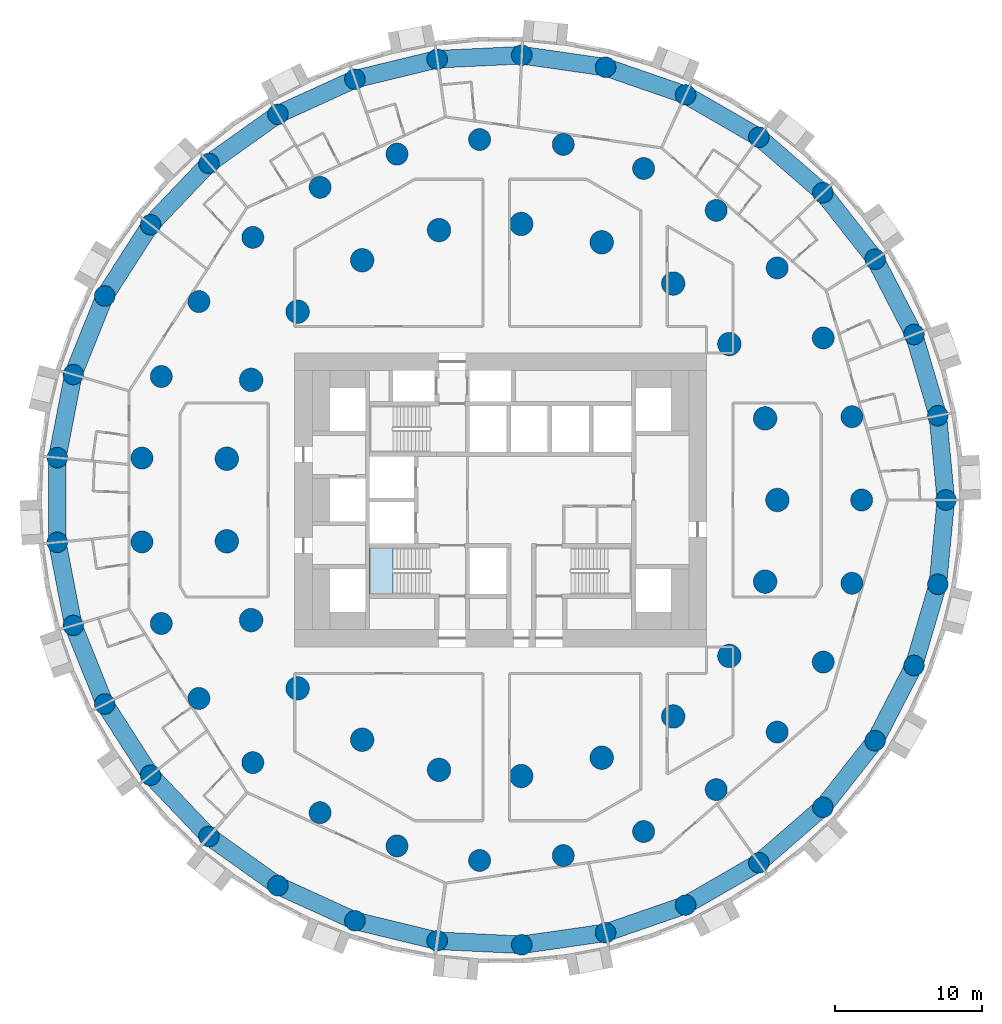
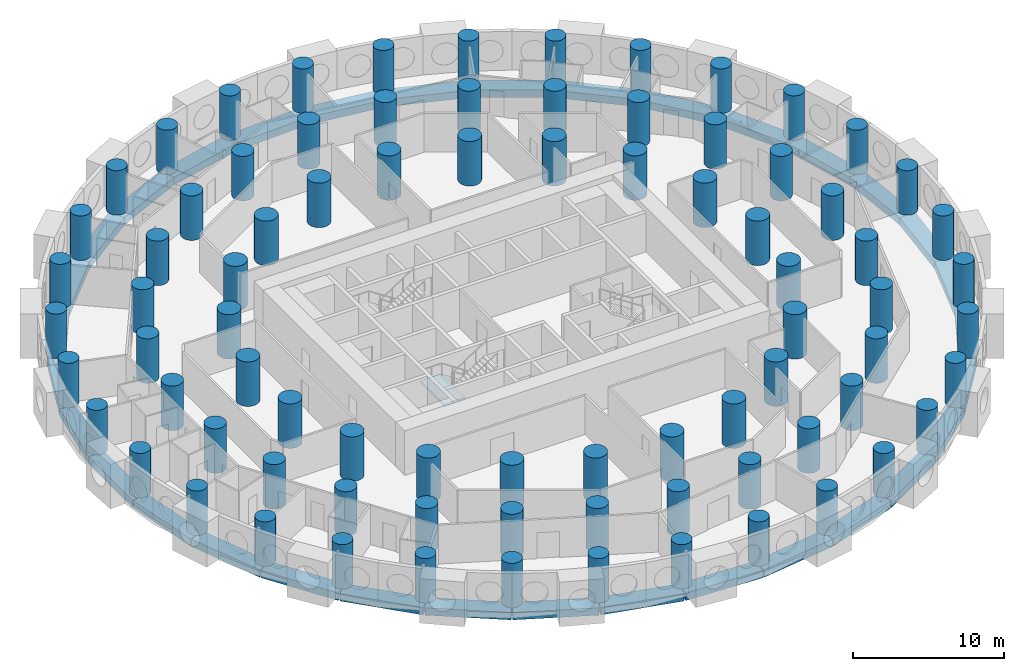
# One storey, part 1 of 12: 81 columns, 33 beams, 1 slab, 1 element without a shape of its own.
"""IFC4 building model written with IfcOpenShell, lengths in metres."""

from ifc_helpers import new_model, si_unit, direction, frame, origin, origin_2d, place, context, subcontext, project, spatial, polyline, rectangle, circle, outline, extrude, material, layer, layer_set, material_profile, profile_set, type_object, element, aggregate, save


model = new_model("IFC4")

# Units and contexts
model_context = context("Model", 3, precision=1e-05, world=origin(), true_north=direction((0.0, 1.0)))
body_context = subcontext(model_context, "Body", "Model", "MODEL_VIEW")
ifc_project = project(units=[si_unit("LENGTHUNIT", "METRE"), si_unit("AREAUNIT", "SQUARE_METRE"), si_unit("VOLUMEUNIT", "CUBIC_METRE"), si_unit("PLANEANGLEUNIT", "RADIAN"), si_unit("MASSUNIT", "GRAM", prefix="KILO")], contexts=[model_context])

# Site, building, storey
site_placement = place(None, origin())
site = spatial("IfcSite", under=ifc_project, at=site_placement, CompositionType="ELEMENT")
building_placement = place(site_placement, origin())
building = spatial("IfcBuilding", under=site, at=building_placement, Name="Tracery Tower", CompositionType="ELEMENT")
storey_placement = place(building_placement, frame((0.0, 0.0, 35.39990234375)))
storey = spatial("IfcBuildingStorey", under=building, at=storey_placement, Name="L07", CompositionType="ELEMENT", Elevation=35.39990234375)

# Columns
ifc_material_1 = material(Name="Concrete C60/75", Category="concrete")
ifc_material_profile_1 = material_profile(ifc_material_1, circle(Radius=0.699951171875, at=origin_2d()), Name="RC D1400")
ifc_profile_set_1 = profile_set([ifc_material_profile_1], Name="Concrete C60/75")
column_type_1 = type_object("IfcColumnType", Name="Ring 0 column 1400", PredefinedType="COLUMN", material=ifc_profile_set_1)
for number, where, z_axis, x_axis, name in (
    (1, (30.274658203125, 0.0, 0.0), (0.0, 0.0, 1.0), (1.0, 0.0, 0.0), "Ring 0 column 00 at L07"),
    (2, (29.7275390625, 5.7294921875, 0.0), (0.0, 0.0, 1.0), (1.0, 0.0, 0.0), "Ring 0 column 01 at L07"),
    (3, (28.10595703125, 11.251953125, 0.0), (0.0, 0.0, 1.0), (1.0, 0.0, 0.0), "Ring 0 column 02 at L07"),
    (4, (25.468505859375, 16.36767578125, 0.0), (0.0, 0.0, 1.0), (1.0, 0.0, 0.0), "Ring 0 column 03 at L07"),
    (5, (21.910888671875, 20.891845703125, 0.0), (0.0, 0.0, 1.0), (1.0, 0.0, 0.0), "Ring 0 column 04 at L07"),
    (6, (17.56103515625, 24.660888671875, 0.0), (0.0, 0.0, 1.0), (1.0, 0.0, 0.0), "Ring 0 column 05 at L07"),
    (7, (12.576416015625, 27.538818359375, 0.0), (0.0, 0.0, 1.0), (1.0, 0.0, 0.0), "Ring 0 column 06 at L07"),
    (8, (7.137451171875, 29.421142578125, 0.0), (0.0, 0.0, 1.0), (1.0, 0.0, 0.0), "Ring 0 column 07 at L07"),
    (9, (1.4404296875, 30.240234375, 0.0), (0.0, 0.0, 1.0), (1.0, 0.0, 0.0), "Ring 0 column 08 at L07"),
    (10, (-4.30859375, 29.96630859375, 0.0), (0.0, 0.0, 1.0), (1.0, 0.0, 0.0), "Ring 0 column 09 at L07"),
    (11, (-9.90185546875, 28.609619140625, 0.0), (0.0, 0.0, 1.0), (1.0, 0.0, 0.0), "Ring 0 column 10 at L07"),
    (12, (-15.13720703125, 26.218505859375, 0.0), (0.0, 0.0, 1.0), (1.0, 0.0, 0.0), "Ring 0 column 11 at L07"),
    (13, (-19.82568359375, 22.8798828125, 0.0), (0.0, 0.0, 1.0), (1.0, 0.0, 0.0), "Ring 0 column 12 at L07"),
    (14, (-23.79736328125, 18.714599609375, 0.0), (0.0, 0.0, 1.0), (1.0, 0.0, 0.0), "Ring 0 column 13 at L07"),
    (15, (-26.9091796875, 13.87255859375, 0.0), (0.0, 0.0, 1.0), (1.0, 0.0, 0.0), "Ring 0 column 14 at L07"),
    (16, (-29.04833984375, 8.529296875, 0.0), (0.0, 0.0, 1.0), (1.0, 0.0, 0.0), "Ring 0 column 15 at L07"),
    (17, (-30.137451171875, 2.877685546875, 0.0), (0.0, 0.0, 1.0), (1.0, 0.0, 0.0), "Ring 0 column 16 at L07"),
    (18, (-30.137451171875, -2.877685546875, 0.0), (0.0, 0.0, 1.0), (1.0, 0.0, 0.0), "Ring 0 column 17 at L07"),
    (19, (-29.04833984375, -8.529296875, 0.0), (0.0, 0.0, 1.0), (1.0, 0.0, 0.0), "Ring 0 column 18 at L07"),
    (20, (-26.9091796875, -13.87255859375, 0.0), (0.0, 0.0, 1.0), (1.0, 0.0, 0.0), "Ring 0 column 19 at L07"),
    (21, (-23.79736328125, -18.714599609375, 0.0), (0.0, 0.0, 1.0), (1.0, 0.0, 0.0), "Ring 0 column 20 at L07"),
    (22, (-19.82568359375, -22.8798828125, 0.0), (0.0, 0.0, 1.0), (1.0, 0.0, 0.0), "Ring 0 column 21 at L07"),
    (23, (-15.13720703125, -26.218505859375, 0.0), (0.0, 0.0, 1.0), (1.0, 0.0, 0.0), "Ring 0 column 22 at L07"),
    (24, (-9.90185546875, -28.609619140625, 0.0), (0.0, 0.0, 1.0), (1.0, 0.0, 0.0), "Ring 0 column 23 at L07"),
    (25, (-4.30859375, -29.96630859375, 0.0), (0.0, 0.0, 1.0), (1.0, 0.0, 0.0), "Ring 0 column 24 at L07"),
    (26, (1.4404296875, -30.240234375, 0.0), (0.0, 0.0, 1.0), (1.0, 0.0, 0.0), "Ring 0 column 25 at L07"),
    (27, (7.137451171875, -29.421142578125, 0.0), (0.0, 0.0, 1.0), (1.0, 0.0, 0.0), "Ring 0 column 26 at L07"),
    (28, (12.576416015625, -27.538818359375, 0.0), (0.0, 0.0, 1.0), (1.0, 0.0, 0.0), "Ring 0 column 27 at L07"),
    (29, (17.56103515625, -24.660888671875, 0.0), (0.0, 0.0, 1.0), (1.0, 0.0, 0.0), "Ring 0 column 28 at L07"),
    (30, (21.910888671875, -20.891845703125, 0.0), (0.0, 0.0, 1.0), (1.0, 0.0, 0.0), "Ring 0 column 29 at L07"),
    (31, (25.468505859375, -16.36767578125, 0.0), (0.0, 0.0, 1.0), (1.0, 0.0, 0.0), "Ring 0 column 30 at L07"),
    (32, (28.10595703125, -11.251953125, 0.0), (0.0, 0.0, 1.0), (1.0, 0.0, 0.0), "Ring 0 column 31 at L07"),
    (33, (29.7275390625, -5.7294921875, 0.0), (0.0, 0.0, 1.0), (1.0, 0.0, 0.0), "Ring 0 column 32 at L07"),
):
    element("IfcColumn", number, at=place(storey_placement, frame(where, z_axis=z_axis, x_axis=x_axis)), inside=storey, type_object=column_type_1, Name=name, PredefinedType="COLUMN", context=body_context, shape_type="SweptSolid", body=[
        extrude(circle(Radius=0.699951171875, at=origin_2d()), origin(), (0.0, 0.0, 1.0), 3.60009765625),
    ])
ifc_material_2 = material(Name="Concrete C60/75", Category="concrete")
ifc_material_profile_2 = material_profile(ifc_material_2, circle(Radius=0.75, at=origin_2d()), Name="RC D1500")
ifc_profile_set_2 = profile_set([ifc_material_profile_2], Name="Concrete C60/75")
column_type_2 = type_object("IfcColumnType", Name="Ring 1 column 1500", PredefinedType="COLUMN", material=ifc_profile_set_2)
for number, where, z_axis, x_axis, name in (
    (34, (24.547607421875, 0.0, 0.0), (0.0, 0.0, 1.0), (1.0, 0.0, 0.0), "Ring 1 column 00 at L07"),
    (35, (23.885986328125, 5.6611328125, 0.0), (0.0, 0.0, 1.0), (1.0, 0.0, 0.0), "Ring 1 column 01 at L07"),
    (36, (21.9365234375, 11.01708984375, 0.0), (0.0, 0.0, 1.0), (1.0, 0.0, 0.0), "Ring 1 column 02 at L07"),
    (37, (18.8046875, 15.779052734375, 0.0), (0.0, 0.0, 1.0), (1.0, 0.0, 0.0), "Ring 1 column 03 at L07"),
    (38, (14.658935546875, 19.690185546875, 0.0), (0.0, 0.0, 1.0), (1.0, 0.0, 0.0), "Ring 1 column 04 at L07"),
    (39, (9.722900390625, 22.5400390625, 0.0), (0.0, 0.0, 1.0), (1.0, 0.0, 0.0), "Ring 1 column 05 at L07"),
    (40, (4.2626953125, 24.1748046875, 0.0), (0.0, 0.0, 1.0), (1.0, 0.0, 0.0), "Ring 1 column 06 at L07"),
    (41, (-1.42724609375, 24.506103515625, 0.0), (0.0, 0.0, 1.0), (1.0, 0.0, 0.0), "Ring 1 column 07 at L07"),
    (42, (-7.040283203125, 23.516357421875, 0.0), (0.0, 0.0, 1.0), (1.0, 0.0, 0.0), "Ring 1 column 08 at L07"),
    (43, (-12.273681640625, 21.2587890625, 0.0), (0.0, 0.0, 1.0), (1.0, 0.0, 0.0), "Ring 1 column 09 at L07"),
    (44, (-16.845703125, 17.855224609375, 0.0), (0.0, 0.0, 1.0), (1.0, 0.0, 0.0), "Ring 1 column 10 at L07"),
    (45, (-20.50927734375, 13.4892578125, 0.0), (0.0, 0.0, 1.0), (1.0, 0.0, 0.0), "Ring 1 column 11 at L07"),
    (46, (-23.0673828125, 8.395751953125, 0.0), (0.0, 0.0, 1.0), (1.0, 0.0, 0.0), "Ring 1 column 12 at L07"),
    (47, (-24.381591796875, 2.849853515625, 0.0), (0.0, 0.0, 1.0), (1.0, 0.0, 0.0), "Ring 1 column 13 at L07"),
    (48, (-24.381591796875, -2.849853515625, 0.0), (0.0, 0.0, 1.0), (1.0, 0.0, 0.0), "Ring 1 column 14 at L07"),
    (49, (-23.0673828125, -8.395751953125, 0.0), (0.0, 0.0, 1.0), (1.0, 0.0, 0.0), "Ring 1 column 15 at L07"),
    (50, (-20.50927734375, -13.4892578125, 0.0), (0.0, 0.0, 1.0), (1.0, 0.0, 0.0), "Ring 1 column 16 at L07"),
    (51, (-16.845703125, -17.85546875, 0.0), (0.0, 0.0, 1.0), (1.0, 0.0, 0.0), "Ring 1 column 17 at L07"),
    (52, (-12.27392578125, -21.2587890625, 0.0), (0.0, 0.0, 1.0), (1.0, 0.0, 0.0), "Ring 1 column 18 at L07"),
    (53, (-7.040283203125, -23.516357421875, 0.0), (0.0, 0.0, 1.0), (1.0, 0.0, 0.0), "Ring 1 column 19 at L07"),
    (54, (-1.42724609375, -24.506103515625, 0.0), (0.0, 0.0, 1.0), (1.0, 0.0, 0.0), "Ring 1 column 20 at L07"),
    (55, (4.2626953125, -24.1748046875, 0.0), (0.0, 0.0, 1.0), (1.0, 0.0, 0.0), "Ring 1 column 21 at L07"),
    (56, (9.722900390625, -22.5400390625, 0.0), (0.0, 0.0, 1.0), (1.0, 0.0, 0.0), "Ring 1 column 22 at L07"),
    (57, (14.658935546875, -19.690185546875, 0.0), (0.0, 0.0, 1.0), (1.0, 0.0, 0.0), "Ring 1 column 23 at L07"),
    (58, (18.8046875, -15.779052734375, 0.0), (0.0, 0.0, 1.0), (1.0, 0.0, 0.0), "Ring 1 column 24 at L07"),
    (59, (21.9365234375, -11.01708984375, 0.0), (0.0, 0.0, 1.0), (1.0, 0.0, 0.0), "Ring 1 column 25 at L07"),
    (60, (23.885986328125, -5.6611328125, 0.0), (0.0, 0.0, 1.0), (1.0, 0.0, 0.0), "Ring 1 column 26 at L07"),
):
    element("IfcColumn", number, at=place(storey_placement, frame(where, z_axis=z_axis, x_axis=x_axis)), inside=storey, type_object=column_type_2, Name=name, PredefinedType="COLUMN", context=body_context, shape_type="SweptSolid", body=[
        extrude(circle(Radius=0.75, at=origin_2d()), origin(), (0.0, 0.0, 1.0), 3.60009765625),
    ])
ifc_material_3 = material(Name="Concrete C60/75", Category="concrete")
ifc_material_profile_3 = material_profile(ifc_material_3, circle(Radius=0.800048828125, at=origin_2d()), Name="RC D1600")
ifc_profile_set_3 = profile_set([ifc_material_profile_3], Name="Concrete C60/75")
column_type_3 = type_object("IfcColumnType", Name="Ring 2 column 1600", PredefinedType="COLUMN", material=ifc_profile_set_3)
for number, where, z_axis, x_axis, name in (
    (61, (18.822265625, 0.0, 0.0), (0.0, 0.0, 1.0), (1.0, 0.0, 0.0), "Ring 2 column 00 at L07"),
    (62, (17.986083984375, 5.5478515625, 0.0), (0.0, 0.0, 1.0), (1.0, 0.0, 0.0), "Ring 2 column 01 at L07"),
    (63, (15.551513671875, 10.602783203125, 0.0), (0.0, 0.0, 1.0), (1.0, 0.0, 0.0), "Ring 2 column 02 at L07"),
    (64, (11.7353515625, 14.7158203125, 0.0), (0.0, 0.0, 1.0), (1.0, 0.0, 0.0), "Ring 2 column 03 at L07"),
    (65, (6.87646484375, 17.52099609375, 0.0), (0.0, 0.0, 1.0), (1.0, 0.0, 0.0), "Ring 2 column 04 at L07"),
    (66, (1.406494140625, 18.76953125, 0.0), (0.0, 0.0, 1.0), (1.0, 0.0, 0.0), "Ring 2 column 05 at L07"),
    (67, (-4.188232421875, 18.350341796875, 0.0), (0.0, 0.0, 1.0), (1.0, 0.0, 0.0), "Ring 2 column 06 at L07"),
    (68, (-9.4111328125, 16.300537109375, 0.0), (0.0, 0.0, 1.0), (1.0, 0.0, 0.0), "Ring 2 column 07 at L07"),
    (69, (-13.797607421875, 12.802490234375, 0.0), (0.0, 0.0, 1.0), (1.0, 0.0, 0.0), "Ring 2 column 08 at L07"),
    (70, (-16.958251953125, 8.16650390625, 0.0), (0.0, 0.0, 1.0), (1.0, 0.0, 0.0), "Ring 2 column 09 at L07"),
    (71, (-18.612060546875, 2.805419921875, 0.0), (0.0, 0.0, 1.0), (1.0, 0.0, 0.0), "Ring 2 column 10 at L07"),
    (72, (-18.612060546875, -2.805419921875, 0.0), (0.0, 0.0, 1.0), (1.0, 0.0, 0.0), "Ring 2 column 11 at L07"),
    (73, (-16.958251953125, -8.166748046875, 0.0), (0.0, 0.0, 1.0), (1.0, 0.0, 0.0), "Ring 2 column 12 at L07"),
    (74, (-13.797607421875, -12.80224609375, 0.0), (0.0, 0.0, 1.0), (1.0, 0.0, 0.0), "Ring 2 column 13 at L07"),
    (75, (-9.4111328125, -16.300537109375, 0.0), (0.0, 0.0, 1.0), (1.0, 0.0, 0.0), "Ring 2 column 14 at L07"),
    (76, (-4.188232421875, -18.350341796875, 0.0), (0.0, 0.0, 1.0), (1.0, 0.0, 0.0), "Ring 2 column 15 at L07"),
    (77, (1.406494140625, -18.76953125, 0.0), (0.0, 0.0, 1.0), (1.0, 0.0, 0.0), "Ring 2 column 16 at L07"),
    (78, (6.87646484375, -17.52099609375, 0.0), (0.0, 0.0, 1.0), (1.0, 0.0, 0.0), "Ring 2 column 17 at L07"),
    (79, (11.7353515625, -14.7158203125, 0.0), (0.0, 0.0, 1.0), (1.0, 0.0, 0.0), "Ring 2 column 18 at L07"),
    (80, (15.551513671875, -10.602783203125, 0.0), (0.0, 0.0, 1.0), (1.0, 0.0, 0.0), "Ring 2 column 19 at L07"),
    (81, (17.986083984375, -5.5478515625, 0.0), (0.0, 0.0, 1.0), (1.0, 0.0, 0.0), "Ring 2 column 20 at L07"),
):
    element("IfcColumn", number, at=place(storey_placement, frame(where, z_axis=z_axis, x_axis=x_axis)), inside=storey, type_object=column_type_3, Name=name, PredefinedType="COLUMN", context=body_context, shape_type="SweptSolid", body=[
        extrude(circle(Radius=0.800048828125, at=origin_2d()), origin(), (0.0, 0.0, 1.0), 3.60009765625),
    ])

# Beams
ifc_material_4 = material(Name="Concrete C60/75", Category="concrete")
ifc_material_profile_4 = material_profile(ifc_material_4, rectangle(XDim=1.199951171875, YDim=0.60009765625, at=origin_2d()), Name="RC 1200x600")
ifc_profile_set_4 = profile_set([ifc_material_profile_4], Name="Concrete C60/75")
beam_type = type_object("IfcBeamType", Name="Perimeter band beam 1200x600", PredefinedType="BEAM", material=ifc_profile_set_4)
for number, where, z_axis, x_axis, name in (
    (82, (30.274658203125, 0.0, -0.75), (-0.095059309677, 0.995471610667, 0.0), (-0.995471610667, -0.095059309677, 0.0), "Perimeter beam 0.00 under L07"),
    (83, (29.7275390625, 5.7294921875, -0.75), (-0.281739145896, 0.959491038869, 0.0), (-0.959491038869, -0.281739145896, 0.0), "Perimeter beam 0.01 under L07"),
    (84, (28.10595703125, 11.251953125, -0.75), (-0.458242010493, 0.88882746347, 0.0), (-0.88882746347, -0.458242010493, 0.0), "Perimeter beam 0.02 under L07"),
):
    element("IfcBeam", number, at=place(storey_placement, frame(where, z_axis=z_axis, x_axis=x_axis)), inside=storey, type_object=beam_type, Name=name, PredefinedType="BEAM", context=body_context, shape_type="SweptSolid", body=[
        extrude(rectangle(XDim=1.199951171875, YDim=0.60009765625, at=origin_2d()), origin(), (0.0, 0.0, 1.0), 5.755615234375),
    ])
beam_1_placement = place(storey_placement, frame((25.468505859375, 16.36767578125, -0.75), z_axis=(-0.618134362257, 0.786072458618, 0.0), x_axis=(-0.786072458618, -0.618134362257, 0.0)))
element("IfcBeam", 85, at=beam_1_placement, inside=storey, type_object=beam_type, Name="Perimeter beam 0.03 under L07", PredefinedType="BEAM", context=body_context, shape_type="SweptSolid", body=[
    extrude(rectangle(XDim=1.199951171875, YDim=0.60009765625, at=origin_2d()), origin(), (0.0, 0.0, 1.0), 5.75537109375),
])
beam_2_placement = place(storey_placement, frame((21.910888671875, 20.891845703125, -0.75), z_axis=(-0.755760456715, 0.65484817482, 0.0), x_axis=(-0.65484817482, -0.755760456715, 0.0)))
element("IfcBeam", 86, at=beam_2_placement, inside=storey, type_object=beam_type, Name="Perimeter beam 0.04 under L07", PredefinedType="BEAM", context=body_context, shape_type="SweptSolid", body=[
    extrude(rectangle(XDim=1.199951171875, YDim=0.60009765625, at=origin_2d()), origin(), (0.0, 0.0, 1.0), 5.755615234375),
])
beam_3_placement = place(storey_placement, frame((17.56103515625, 24.660888671875, -0.75), z_axis=(-0.866021003874, 0.50000762079, 0.0), x_axis=(-0.50000762079, -0.866021003874, 0.0)))
element("IfcBeam", 87, at=beam_3_placement, inside=storey, type_object=beam_type, Name="Perimeter beam 0.05 under L07", PredefinedType="BEAM", context=body_context, shape_type="SweptSolid", body=[
    extrude(rectangle(XDim=1.199951171875, YDim=0.60009765625, at=origin_2d()), origin(), (0.0, 0.0, 1.0), 5.755859375),
])
beam_4_placement = place(storey_placement, frame((12.576416015625, 27.538818359375, -0.75), z_axis=(-0.945007252869, 0.327049372458, 0.0), x_axis=(-0.327049372458, -0.945007252869, 0.0)))
element("IfcBeam", 88, at=beam_4_placement, inside=storey, type_object=beam_type, Name="Perimeter beam 0.06 under L07", PredefinedType="BEAM", context=body_context, shape_type="SweptSolid", body=[
    extrude(rectangle(XDim=1.199951171875, YDim=0.60009765625, at=origin_2d()), origin(), (0.0, 0.0, 1.0), 5.75537109375),
])
for number, where, z_axis, x_axis, name in (
    (89, (7.137451171875, 29.421142578125, -0.75), (-0.989821839174, 0.142312075013, 0.0), (-0.142312075013, -0.989821839174, 0.0), "Perimeter beam 0.07 under L07"),
    (90, (1.4404296875, 30.240234375, -0.75), (-0.998866793759, -0.047593364303, 0.0), (0.047593364303, -0.998866793759, 0.0), "Perimeter beam 0.08 under L07"),
):
    element("IfcBeam", number, at=place(storey_placement, frame(where, z_axis=z_axis, x_axis=x_axis)), inside=storey, type_object=beam_type, Name=name, PredefinedType="BEAM", context=body_context, shape_type="SweptSolid", body=[
        extrude(rectangle(XDim=1.199951171875, YDim=0.60009765625, at=origin_2d()), origin(), (0.0, 0.0, 1.0), 5.755615234375),
    ])
beam_5_placement = place(storey_placement, frame((-4.30859375, 29.96630859375, -0.75), z_axis=(-0.971820371509, -0.235722645328, 0.0), x_axis=(0.235722645328, -0.971820371509, 0.0)))
element("IfcBeam", 91, at=beam_5_placement, inside=storey, type_object=beam_type, Name="Perimeter beam 0.09 under L07", PredefinedType="BEAM", context=body_context, shape_type="SweptSolid", body=[
    extrude(rectangle(XDim=1.199951171875, YDim=0.60009765625, at=origin_2d()), origin(), (0.0, 0.0, 1.0), 5.75537109375),
])
for number, where, z_axis, x_axis, name in (
    (92, (-9.90185546875, 28.609619140625, -0.75), (-0.909618316865, -0.415444963411, 0.0), (0.415444963411, -0.909618316865, 0.0), "Perimeter beam 0.10 under L07"),
    (93, (-15.13720703125, 26.218505859375, -0.75), (-0.8145780864, -0.580053912285, 0.0), (0.580053912285, -0.8145780864, 0.0), "Perimeter beam 0.11 under L07"),
):
    element("IfcBeam", number, at=place(storey_placement, frame(where, z_axis=z_axis, x_axis=x_axis)), inside=storey, type_object=beam_type, Name=name, PredefinedType="BEAM", context=body_context, shape_type="SweptSolid", body=[
        extrude(rectangle(XDim=1.199951171875, YDim=0.60009765625, at=origin_2d()), origin(), (0.0, 0.0, 1.0), 5.755615234375),
    ])
beam_6_placement = place(storey_placement, frame((-19.82568359375, 22.8798828125, -0.75), z_axis=(-0.690087218267, -0.723726212863, 0.0), x_axis=(0.723726212863, -0.690087218267, 0.0)))
element("IfcBeam", 94, at=beam_6_placement, inside=storey, type_object=beam_type, Name="Perimeter beam 0.12 under L07", PredefinedType="BEAM", context=body_context, shape_type="SweptSolid", body=[
    extrude(rectangle(XDim=1.199951171875, YDim=0.60009765625, at=origin_2d()), origin(), (0.0, 0.0, 1.0), 5.75537109375),
])
beam_7_placement = place(storey_placement, frame((-23.79736328125, 18.714599609375, -0.75), z_axis=(-0.540643964602, -0.841251510274, 0.0), x_axis=(0.841251510274, -0.540643964602, 0.0)))
element("IfcBeam", 95, at=beam_7_placement, inside=storey, type_object=beam_type, Name="Perimeter beam 0.13 under L07", PredefinedType="BEAM", context=body_context, shape_type="SweptSolid", body=[
    extrude(rectangle(XDim=1.199951171875, YDim=0.60009765625, at=origin_2d()), origin(), (0.0, 0.0, 1.0), 5.755859375),
])
for number, where, z_axis, x_axis, name in (
    (96, (-26.9091796875, 13.87255859375, -0.75), (-0.371668572289, -0.928365484264, 0.0), (0.928365484264, -0.371668572289, 0.0), "Perimeter beam 0.14 under L07"),
    (97, (-29.04833984375, 8.529296875, -0.75), (-0.189226539295, -0.981933458451, 0.0), (0.981933458451, -0.189226539295, 0.0), "Perimeter beam 0.15 under L07"),
):
    element("IfcBeam", number, at=place(storey_placement, frame(where, z_axis=z_axis, x_axis=x_axis)), inside=storey, type_object=beam_type, Name=name, PredefinedType="BEAM", context=body_context, shape_type="SweptSolid", body=[
        extrude(rectangle(XDim=1.199951171875, YDim=0.60009765625, at=origin_2d()), origin(), (0.0, 0.0, 1.0), 5.755615234375),
    ])
beam_8_placement = place(storey_placement, frame((-30.137451171875, 2.877685546875, -0.75), z_axis=(0.0, -1.0, 0.0), x_axis=(1.0, 0.0, 0.0)))
element("IfcBeam", 98, at=beam_8_placement, inside=storey, type_object=beam_type, Name="Perimeter beam 0.16 under L07", PredefinedType="BEAM", context=body_context, shape_type="SweptSolid", body=[
    extrude(rectangle(XDim=1.199951171875, YDim=0.60009765625, at=origin_2d()), origin(), (0.0, 0.0, 1.0), 5.75537109375),
])
for number, where, z_axis, x_axis, name in (
    (99, (-30.137451171875, -2.877685546875, -0.75), (0.189226539295, -0.981933458451, 0.0), (0.981933458451, 0.189226539295, 0.0), "Perimeter beam 0.17 under L07"),
    (100, (-29.04833984375, -8.529296875, -0.75), (0.371668572289, -0.928365484264, 0.0), (0.928365484264, 0.371668572289, 0.0), "Perimeter beam 0.18 under L07"),
):
    element("IfcBeam", number, at=place(storey_placement, frame(where, z_axis=z_axis, x_axis=x_axis)), inside=storey, type_object=beam_type, Name=name, PredefinedType="BEAM", context=body_context, shape_type="SweptSolid", body=[
        extrude(rectangle(XDim=1.199951171875, YDim=0.60009765625, at=origin_2d()), origin(), (0.0, 0.0, 1.0), 5.755615234375),
    ])
beam_9_placement = place(storey_placement, frame((-26.9091796875, -13.87255859375, -0.75), z_axis=(0.540643964602, -0.841251510274, 0.0), x_axis=(0.841251510274, 0.540643964602, 0.0)))
element("IfcBeam", 101, at=beam_9_placement, inside=storey, type_object=beam_type, Name="Perimeter beam 0.19 under L07", PredefinedType="BEAM", context=body_context, shape_type="SweptSolid", body=[
    extrude(rectangle(XDim=1.199951171875, YDim=0.60009765625, at=origin_2d()), origin(), (0.0, 0.0, 1.0), 5.755859375),
])
beam_10_placement = place(storey_placement, frame((-23.79736328125, -18.714599609375, -0.75), z_axis=(0.690087218267, -0.723726212863, 0.0), x_axis=(0.723726212863, 0.690087218267, 0.0)))
element("IfcBeam", 102, at=beam_10_placement, inside=storey, type_object=beam_type, Name="Perimeter beam 0.20 under L07", PredefinedType="BEAM", context=body_context, shape_type="SweptSolid", body=[
    extrude(rectangle(XDim=1.199951171875, YDim=0.60009765625, at=origin_2d()), origin(), (0.0, 0.0, 1.0), 5.75537109375),
])
for number, where, z_axis, x_axis, name in (
    (103, (-19.82568359375, -22.8798828125, -0.75), (0.8145780864, -0.580053912285, 0.0), (0.580053912285, 0.8145780864, 0.0), "Perimeter beam 0.21 under L07"),
    (104, (-15.13720703125, -26.218505859375, -0.75), (0.909618316865, -0.415444963411, 0.0), (0.415444963411, 0.909618316865, 0.0), "Perimeter beam 0.22 under L07"),
):
    element("IfcBeam", number, at=place(storey_placement, frame(where, z_axis=z_axis, x_axis=x_axis)), inside=storey, type_object=beam_type, Name=name, PredefinedType="BEAM", context=body_context, shape_type="SweptSolid", body=[
        extrude(rectangle(XDim=1.199951171875, YDim=0.60009765625, at=origin_2d()), origin(), (0.0, 0.0, 1.0), 5.755615234375),
    ])
beam_11_placement = place(storey_placement, frame((-9.90185546875, -28.609619140625, -0.75), z_axis=(0.971820371509, -0.235722645328, 0.0), x_axis=(0.235722645328, 0.971820371509, 0.0)))
element("IfcBeam", 105, at=beam_11_placement, inside=storey, type_object=beam_type, Name="Perimeter beam 0.23 under L07", PredefinedType="BEAM", context=body_context, shape_type="SweptSolid", body=[
    extrude(rectangle(XDim=1.199951171875, YDim=0.60009765625, at=origin_2d()), origin(), (0.0, 0.0, 1.0), 5.75537109375),
])
for number, where, z_axis, x_axis, name in (
    (106, (-4.30859375, -29.96630859375, -0.75), (0.998866793759, -0.047593364303, 0.0), (0.047593364303, 0.998866793759, 0.0), "Perimeter beam 0.24 under L07"),
    (107, (1.4404296875, -30.240234375, -0.75), (0.989821839174, 0.142312075013, 0.0), (-0.142312075013, 0.989821839174, 0.0), "Perimeter beam 0.25 under L07"),
):
    element("IfcBeam", number, at=place(storey_placement, frame(where, z_axis=z_axis, x_axis=x_axis)), inside=storey, type_object=beam_type, Name=name, PredefinedType="BEAM", context=body_context, shape_type="SweptSolid", body=[
        extrude(rectangle(XDim=1.199951171875, YDim=0.60009765625, at=origin_2d()), origin(), (0.0, 0.0, 1.0), 5.755615234375),
    ])
beam_12_placement = place(storey_placement, frame((7.137451171875, -29.421142578125, -0.75), z_axis=(0.945007252869, 0.327049372458, 0.0), x_axis=(-0.327049372458, 0.945007252869, 0.0)))
element("IfcBeam", 108, at=beam_12_placement, inside=storey, type_object=beam_type, Name="Perimeter beam 0.26 under L07", PredefinedType="BEAM", context=body_context, shape_type="SweptSolid", body=[
    extrude(rectangle(XDim=1.199951171875, YDim=0.60009765625, at=origin_2d()), origin(), (0.0, 0.0, 1.0), 5.75537109375),
])
beam_13_placement = place(storey_placement, frame((12.576416015625, -27.538818359375, -0.75), z_axis=(0.866021003874, 0.50000762079, 0.0), x_axis=(-0.50000762079, 0.866021003874, 0.0)))
element("IfcBeam", 109, at=beam_13_placement, inside=storey, type_object=beam_type, Name="Perimeter beam 0.27 under L07", PredefinedType="BEAM", context=body_context, shape_type="SweptSolid", body=[
    extrude(rectangle(XDim=1.199951171875, YDim=0.60009765625, at=origin_2d()), origin(), (0.0, 0.0, 1.0), 5.755859375),
])
beam_14_placement = place(storey_placement, frame((17.56103515625, -24.660888671875, -0.75), z_axis=(0.755760456715, 0.65484817482, 0.0), x_axis=(-0.65484817482, 0.755760456715, 0.0)))
element("IfcBeam", 110, at=beam_14_placement, inside=storey, type_object=beam_type, Name="Perimeter beam 0.28 under L07", PredefinedType="BEAM", context=body_context, shape_type="SweptSolid", body=[
    extrude(rectangle(XDim=1.199951171875, YDim=0.60009765625, at=origin_2d()), origin(), (0.0, 0.0, 1.0), 5.755615234375),
])
beam_15_placement = place(storey_placement, frame((21.910888671875, -20.891845703125, -0.75), z_axis=(0.618134362257, 0.786072458618, 0.0), x_axis=(-0.786072458618, 0.618134362257, 0.0)))
element("IfcBeam", 111, at=beam_15_placement, inside=storey, type_object=beam_type, Name="Perimeter beam 0.29 under L07", PredefinedType="BEAM", context=body_context, shape_type="SweptSolid", body=[
    extrude(rectangle(XDim=1.199951171875, YDim=0.60009765625, at=origin_2d()), origin(), (0.0, 0.0, 1.0), 5.75537109375),
])
for number, where, z_axis, x_axis, name in (
    (112, (25.468505859375, -16.36767578125, -0.75), (0.458242010493, 0.88882746347, 0.0), (-0.88882746347, 0.458242010493, 0.0), "Perimeter beam 0.30 under L07"),
    (113, (28.10595703125, -11.251953125, -0.75), (0.281739145896, 0.959491038869, 0.0), (-0.959491038869, 0.281739145896, 0.0), "Perimeter beam 0.31 under L07"),
    (114, (29.7275390625, -5.7294921875, -0.75), (0.095059309677, 0.995471610667, 0.0), (-0.995471610667, 0.095059309677, 0.0), "Perimeter beam 0.32 under L07"),
):
    element("IfcBeam", number, at=place(storey_placement, frame(where, z_axis=z_axis, x_axis=x_axis)), inside=storey, type_object=beam_type, Name=name, PredefinedType="BEAM", context=body_context, shape_type="SweptSolid", body=[
        extrude(rectangle(XDim=1.199951171875, YDim=0.60009765625, at=origin_2d()), origin(), (0.0, 0.0, 1.0), 5.755615234375),
    ])

# Stair, slab
ifc_material_5 = material(Name="Concrete C32/40", Category="concrete")
stair_type = type_object("IfcStairType", Name="Core stair 22 risers", PredefinedType="HALF_TURN_STAIR", material=ifc_material_5)
stair_placement = place(storey_placement, origin())
stair = element("IfcStair", 115, at=stair_placement, inside=storey, type_object=stair_type, Name="L07 stair ST1", PredefinedType="HALF_TURN_STAIR")
ifc_material_6 = material(Name="Concrete C32/40", Category="concrete")
ifc_layer = layer(ifc_material_6, 0.199951171875)
ifc_layer_set = layer_set([ifc_layer], Name="Stair landing slab 200")
slab_type = type_object("IfcSlabType", Name="Stair landing slab 200", PredefinedType="LANDING", material=ifc_layer_set)
slab_placement = place(storey_placement, frame((0.0, 0.0, 1.60009765625)))
slab = element("IfcSlab", 116, at=slab_placement, type_object=slab_type, Name="ST1 landing 1", PredefinedType="LANDING", context=body_context, shape_type="SweptSolid", body=[
    extrude(outline(polyline([(-7.29931640625, -3.25), (-8.89990234375, -3.25), (-8.89990234375, -6.39990234375), (-7.29931640625, -6.39990234375), (-7.29931640625, -3.25)])), origin(), (0.0, 0.0, 1.0), 0.199951171875),
])
aggregate(stair, [slab])

save(model, "model.ifc")
